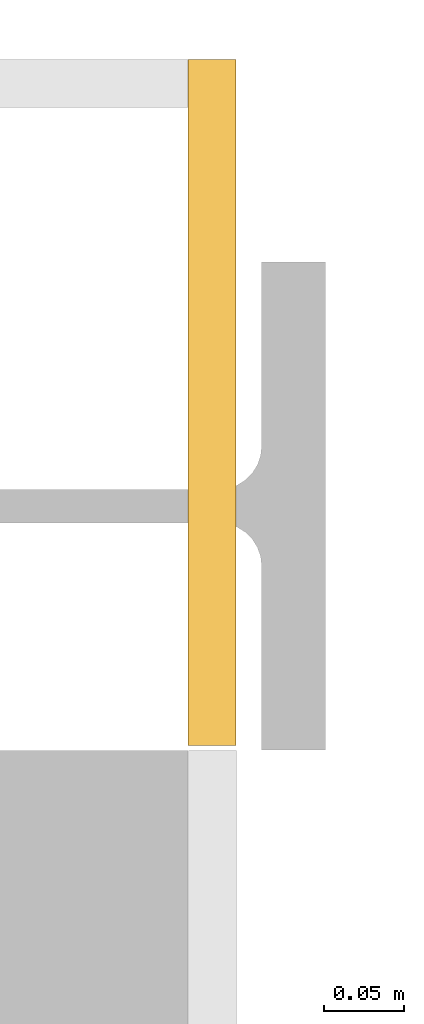
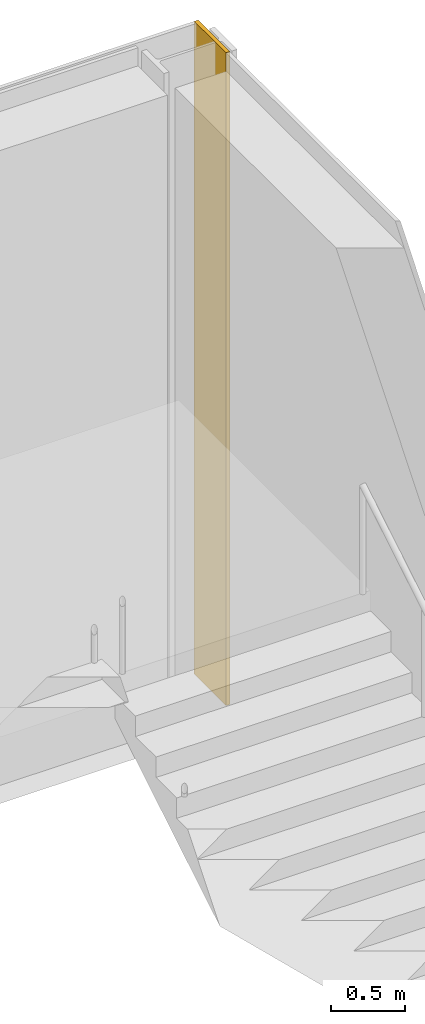
# One storey, part 62 of 64: 1 covering.
"""IFC4 building model written with IfcOpenShell, lengths in metres."""

from ifc_helpers import new_model, si_unit, direction, frame, origin, origin_2d, place, context, subcontext, project, spatial, rectangle, extrude, material, layer, layer_set, type_object, element, save


model = new_model("IFC4")

# Units and contexts
model_context = context("Model", 3, precision=1e-05, world=origin(), true_north=direction((0.0, 1.0)))
body_context = subcontext(model_context, "Body", "Model", "MODEL_VIEW")
ifc_project = project(units=[si_unit("LENGTHUNIT", "METRE"), si_unit("AREAUNIT", "SQUARE_METRE"), si_unit("VOLUMEUNIT", "CUBIC_METRE"), si_unit("PLANEANGLEUNIT", "RADIAN"), si_unit("MASSUNIT", "GRAM", prefix="KILO")], contexts=[model_context])

# Site, building, storey
site_placement = place(None, origin())
site = spatial("IfcSite", under=ifc_project, at=site_placement, CompositionType="ELEMENT")
building_placement = place(site_placement, origin())
building = spatial("IfcBuilding", under=site, at=building_placement, Name="Galleria Vessillo Department Store", CompositionType="ELEMENT")
storey_placement = place(building_placement, frame((0.0, 0.0, 6.0)))
storey = spatial("IfcBuildingStorey", under=building, at=storey_placement, Name="L01", CompositionType="ELEMENT", Elevation=6.0)

# Covering
ifc_material = material(Name="Lime plaster (intonaco) ochre")
ifc_layer = layer(ifc_material, 0.030029296875)
ifc_layer_set = layer_set([ifc_layer], Name="Lime plaster (intonaco) ochre")
covering_type = type_object("IfcCoveringType", Name="Lime plaster render 30 mm", PredefinedType="CLADDING", material=ifc_layer_set)
covering_placement = place(storey_placement, frame((117.81494140625, 63.06494140625, 0.0), z_axis=(0.0, 0.0, 1.0), x_axis=(1.0, 0.0, 0.0)))
element("IfcCovering", 1, at=covering_placement, inside=storey, type_object=covering_type, Name="Corner cladding L01 y=63 east face", PredefinedType="CLADDING", context=body_context, shape_type="SweptSolid", body=[
    extrude(rectangle(XDim=0.030029296875, YDim=0.429931640625, at=origin_2d()), origin(), (0.0, 0.0, 1.0), 5.39990234375),
])

save(model, "model.ifc")
